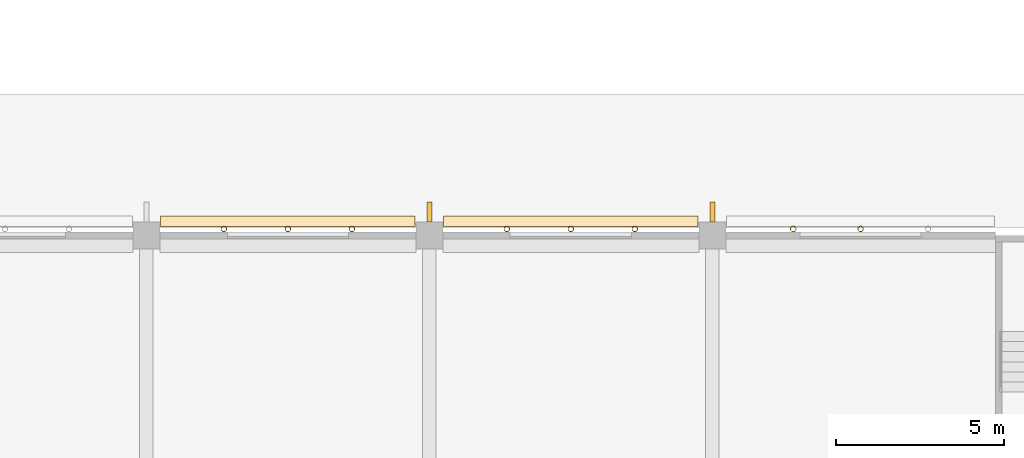
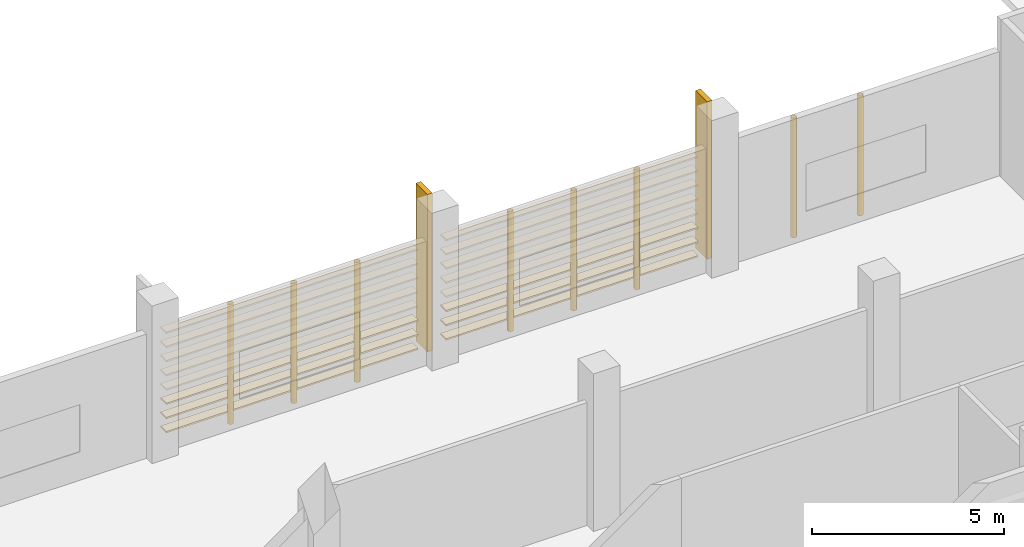
# One storey, part 74 of 101: 16 coverings, 10 shading devices.
"""IFC4 building model written with IfcOpenShell, lengths in metres."""

from ifc_helpers import new_model, si_unit, direction, frame, origin, origin_2d, place, context, subcontext, project, spatial, rectangle, hollow_circle, extrude, material, material_profile, profile_set, type_object, element, save


model = new_model("IFC4")

# Units and contexts
model_context = context("Model", 3, precision=1e-05, world=origin(), true_north=direction((0.0, 1.0)))
body_context = subcontext(model_context, "Body", "Model", "MODEL_VIEW")
ifc_project = project(units=[si_unit("LENGTHUNIT", "METRE"), si_unit("AREAUNIT", "SQUARE_METRE"), si_unit("VOLUMEUNIT", "CUBIC_METRE"), si_unit("PLANEANGLEUNIT", "RADIAN"), si_unit("MASSUNIT", "GRAM", prefix="KILO")], contexts=[model_context])

# Site, building, storey
site_placement = place(None, origin())
site = spatial("IfcSite", under=ifc_project, at=site_placement, CompositionType="ELEMENT")
building_placement = place(site_placement, origin())
building = spatial("IfcBuilding", under=site, at=building_placement, Name="Almond Square Museum", CompositionType="ELEMENT")
storey_placement = place(building_placement, frame((0.0, 0.0, 5.5)))
storey = spatial("IfcBuildingStorey", under=building, at=storey_placement, Name="L01", CompositionType="ELEMENT", Elevation=5.5)

# Shading devices
ifc_material_1 = material(Name="Structural steel S355", Category="steel")
ifc_material_profile_1 = material_profile(ifc_material_1, hollow_circle(Radius=0.084228515625, WallThickness=0.008056640625, at=origin_2d()))
ifc_profile_set_1 = profile_set([ifc_material_profile_1], Name="Structural steel S355")
shading_device_type_1 = type_object("IfcShadingDeviceType", Name="Louvre post CHS 168.3 x 8", PredefinedType="USERDEFINED", material=ifc_profile_set_1)
for number, where, z_axis, x_axis, name in (
    (1, (117.60009765625, 16.994140625, 0.0), (0.0, 0.0, 1.0), (1.0, 0.0, 0.0), "Louvre screen post"),
    (2, (119.60009765625, 16.994140625, 0.0), (0.0, 0.0, 1.0), (1.0, 0.0, 0.0), "Louvre screen post"),
    (3, (109.10009765625, 16.994140625, 0.0), (0.0, 0.0, 1.0), (1.0, 0.0, 0.0), "Louvre screen post"),
    (4, (111.0, 16.994140625, 0.0), (0.0, 0.0, 1.0), (1.0, 0.0, 0.0), "Louvre screen post"),
    (5, (112.89990234375, 16.994140625, 0.0), (0.0, 0.0, 1.0), (1.0, 0.0, 0.0), "Louvre screen post"),
    (6, (100.699951171875, 16.994140625, 0.0), (0.0, 0.0, 1.0), (1.0, 0.0, 0.0), "Louvre screen post"),
    (7, (102.60009765625, 16.994140625, 0.0), (0.0, 0.0, 1.0), (1.0, 0.0, 0.0), "Louvre screen post"),
    (8, (104.5, 16.994140625, 0.0), (0.0, 0.0, 1.0), (1.0, 0.0, 0.0), "Louvre screen post"),
):
    element("IfcShadingDevice", number, at=place(storey_placement, frame(where, z_axis=z_axis, x_axis=x_axis)), inside=storey, type_object=shading_device_type_1, Name=name, ObjectType="POST", PredefinedType="USERDEFINED", context=body_context, shape_type="SweptSolid", body=[
        extrude(hollow_circle(Radius=0.084228515625, WallThickness=0.008056640625, at=origin_2d()), origin(), (0.0, 0.0, 1.0), 3.800048828125),
    ])

# Coverings
ifc_material_2 = material(Name="Cedar timber louvre board", Category="wood")
ifc_material_profile_2 = material_profile(ifc_material_2, rectangle(XDim=0.300048828125, YDim=0.050048828125, at=origin_2d()))
ifc_profile_set_2 = profile_set([ifc_material_profile_2], Name="Cedar timber louvre board")
covering_type = type_object("IfcCoveringType", Name="Louvre screen board 300 x 50", PredefinedType="CLADDING", material=ifc_profile_set_2)
for number, where, z_axis, x_axis, name in (
    (9, (107.219970703125, 17.224365234375, 0.300048828125), (1.0, 0.0, 0.0), (0.0, 1.0, 0.0), "Louvre screen board"),
    (10, (107.219970703125, 17.224365234375, 0.75), (1.0, 0.0, 0.0), (0.0, 1.0, 0.0), "Louvre screen board"),
    (11, (107.219970703125, 17.224365234375, 1.199951171875), (1.0, 0.0, 0.0), (0.0, 1.0, 0.0), "Louvre screen board"),
    (12, (107.219970703125, 17.224365234375, 1.64990234375), (1.0, 0.0, 0.0), (0.0, 1.0, 0.0), "Louvre screen board"),
    (13, (107.219970703125, 17.224365234375, 2.10009765625), (1.0, 0.0, 0.0), (0.0, 1.0, 0.0), "Louvre screen board"),
    (14, (107.219970703125, 17.224365234375, 2.550048828125), (1.0, 0.0, 0.0), (0.0, 1.0, 0.0), "Louvre screen board"),
    (15, (107.219970703125, 17.224365234375, 3.0), (1.0, 0.0, 0.0), (0.0, 1.0, 0.0), "Louvre screen board"),
    (16, (107.219970703125, 17.224365234375, 3.449951171875), (1.0, 0.0, 0.0), (0.0, 1.0, 0.0), "Louvre screen board"),
):
    element("IfcCovering", number, at=place(storey_placement, frame(where, z_axis=z_axis, x_axis=x_axis)), inside=storey, type_object=covering_type, Name=name, PredefinedType="CLADDING", context=body_context, shape_type="SweptSolid", body=[
        extrude(rectangle(XDim=0.300048828125, YDim=0.050048828125, at=origin_2d()), origin(), (0.0, 0.0, 1.0), 7.56005859375),
    ])
for number, where, z_axis, x_axis, name in (
    (17, (98.820068359375, 17.224365234375, 0.300048828125), (1.0, 0.0, 0.0), (0.0, 1.0, 0.0), "Louvre screen board"),
    (18, (98.820068359375, 17.224365234375, 0.75), (1.0, 0.0, 0.0), (0.0, 1.0, 0.0), "Louvre screen board"),
    (19, (98.820068359375, 17.224365234375, 1.199951171875), (1.0, 0.0, 0.0), (0.0, 1.0, 0.0), "Louvre screen board"),
    (20, (98.820068359375, 17.224365234375, 1.64990234375), (1.0, 0.0, 0.0), (0.0, 1.0, 0.0), "Louvre screen board"),
    (21, (98.820068359375, 17.224365234375, 2.10009765625), (1.0, 0.0, 0.0), (0.0, 1.0, 0.0), "Louvre screen board"),
    (22, (98.820068359375, 17.224365234375, 2.550048828125), (1.0, 0.0, 0.0), (0.0, 1.0, 0.0), "Louvre screen board"),
    (23, (98.820068359375, 17.224365234375, 3.0), (1.0, 0.0, 0.0), (0.0, 1.0, 0.0), "Louvre screen board"),
    (24, (98.820068359375, 17.224365234375, 3.449951171875), (1.0, 0.0, 0.0), (0.0, 1.0, 0.0), "Louvre screen board"),
):
    element("IfcCovering", number, at=place(storey_placement, frame(where, z_axis=z_axis, x_axis=x_axis)), inside=storey, type_object=covering_type, Name=name, PredefinedType="CLADDING", context=body_context, shape_type="SweptSolid", body=[
        extrude(rectangle(XDim=0.300048828125, YDim=0.050048828125, at=origin_2d()), origin(), (0.0, 0.0, 1.0), 7.559814453125),
    ])

# Shading devices
ifc_material_3 = material(Name="Cedar timber fin", Category="wood")
shading_device_type_2 = type_object("IfcShadingDeviceType", Name="Timber storm fin 150 x 600", PredefinedType="USERDEFINED", material=ifc_material_3)
for number, where, z_axis, x_axis, name in (
    (25, (106.800048828125, 17.5, 0.0), (0.0, 0.0, 1.0), (1.0, 0.0, 0.0), "Timber storm fin"),
    (26, (115.199951171875, 17.5, 0.0), (0.0, 0.0, 1.0), (1.0, 0.0, 0.0), "Timber storm fin"),
):
    element("IfcShadingDevice", number, at=place(storey_placement, frame(where, z_axis=z_axis, x_axis=x_axis)), inside=storey, type_object=shading_device_type_2, Name=name, ObjectType="FIN", PredefinedType="USERDEFINED", context=body_context, shape_type="SweptSolid", body=[
        extrude(rectangle(XDim=0.14990234375, YDim=0.60009765625, at=origin_2d()), origin(), (0.0, 0.0, 1.0), 5.0),
    ])

save(model, "model.ifc")
